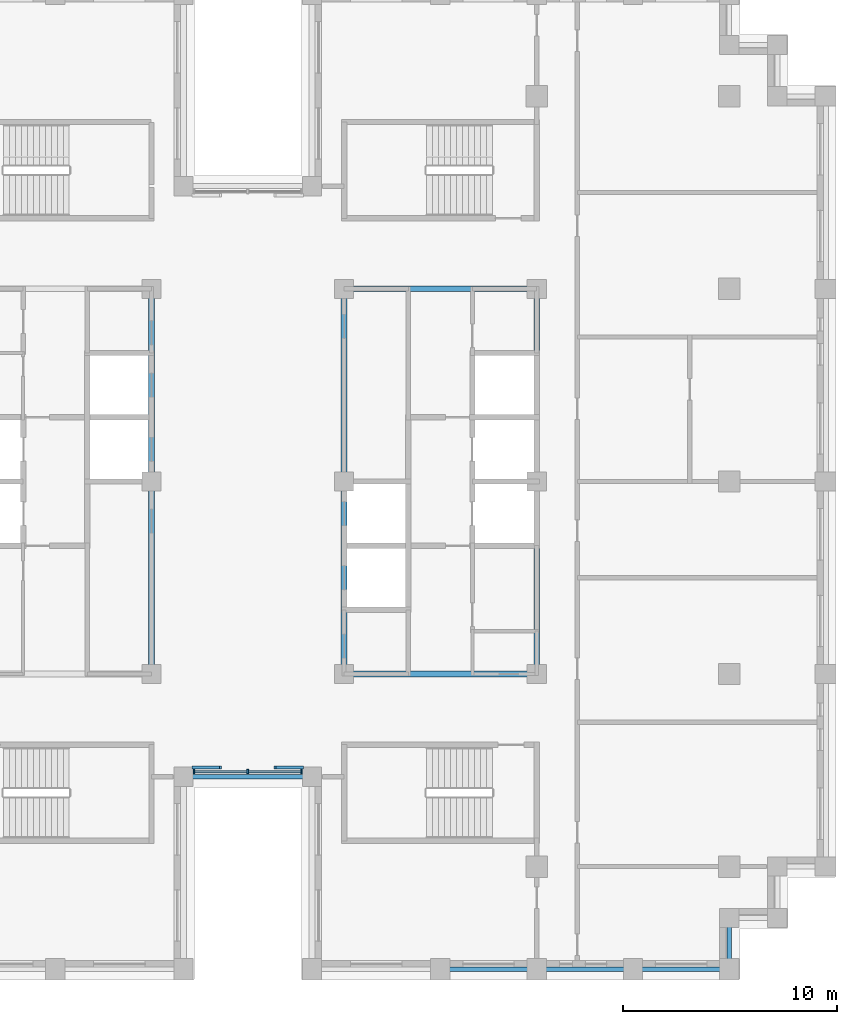
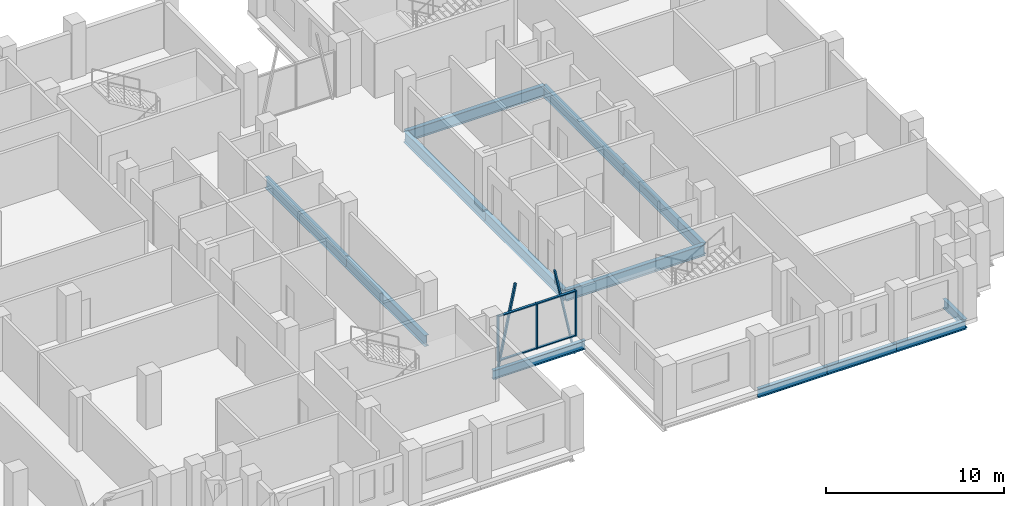
# One storey, part 2 of 15: 13 beams, 9 members, 1 element without a shape of its own.
"""IFC4 building model written with IfcOpenShell, lengths in metres."""

from ifc_helpers import new_model, si_unit, direction, frame, origin, origin_2d, place, context, subcontext, project, spatial, rectangle, i_section, extrude, material, layer, layer_set, material_profile, profile_set, type_object, element, aggregate, save


model = new_model("IFC4")

# Units and contexts
model_context = context("Model", 3, precision=1e-05, world=origin(), true_north=direction((0.0, 1.0)))
body_context = subcontext(model_context, "Body", "Model", "MODEL_VIEW")
ifc_project = project(units=[si_unit("LENGTHUNIT", "METRE"), si_unit("AREAUNIT", "SQUARE_METRE"), si_unit("VOLUMEUNIT", "CUBIC_METRE"), si_unit("PLANEANGLEUNIT", "RADIAN"), si_unit("MASSUNIT", "GRAM", prefix="KILO")], contexts=[model_context])

# Site, building, storey
site_placement = place(None, origin())
site = spatial("IfcSite", under=ifc_project, at=site_placement, CompositionType="ELEMENT")
building_placement = place(site_placement, origin())
building = spatial("IfcBuilding", under=site, at=building_placement, Name="Corbelhall Arena Tower", CompositionType="ELEMENT")
storey_placement = place(building_placement, frame((0.0, 0.0, 228.0)))
storey = spatial("IfcBuildingStorey", under=building, at=storey_placement, Name="L48", CompositionType="ELEMENT", Elevation=228.0)

# Curtain wall, members
ifc_material_1 = material(Name="Aluminium black anodised", Category="aluminium")
ifc_layer = layer(ifc_material_1, 0.199951171875)
ifc_layer_set = layer_set([ifc_layer], Name="EV-CW1 Slot back wall")
curtain_wall_type = type_object("IfcCurtainWallType", Name="EV-CW1 Slot back wall", PredefinedType="NOTDEFINED", material=ifc_layer_set)
curtain_wall_placement = place(storey_placement, origin())
curtain_wall = element("IfcCurtainWall", 1, at=curtain_wall_placement, inside=storey, type_object=curtain_wall_type, Name="Curtain wall CW1", PredefinedType="NOTDEFINED")
ifc_material_profile_1 = material_profile(ifc_material_1, rectangle(XDim=0.199951171875, YDim=0.074951171875, at=origin_2d()))
ifc_profile_set_1 = profile_set([ifc_material_profile_1], Name="Aluminium black anodised")
member_type_1 = type_object("IfcMemberType", Name="EV-CW1-MULLION", PredefinedType="MULLION", material=ifc_profile_set_1)
member_1_placement = place(storey_placement, frame((-2.512451171875, -13.550048828125, 0.0), z_axis=(0.0, 0.0, 1.0), x_axis=(0.0, 1.0, 0.0)))
member_1 = element("IfcMember", 2, at=member_1_placement, type_object=member_type_1, Name="CW1 mullion 1", PredefinedType="MULLION", context=body_context, shape_type="SweptSolid", body=[
    extrude(rectangle(XDim=0.199951171875, YDim=0.074951171875, at=origin_2d()), origin(), (0.0, 0.0, 1.0), 3.1201171875),
])
member_2_placement = place(storey_placement, frame((0.0, -13.550048828125, 0.0), z_axis=(0.0, 0.0, 1.0), x_axis=(0.0, 1.0, 0.0)))
member_2 = element("IfcMember", 3, at=member_2_placement, type_object=member_type_1, Name="CW1 mullion 2", PredefinedType="MULLION", context=body_context, shape_type="SweptSolid", body=[
    extrude(rectangle(XDim=0.199951171875, YDim=0.074951171875, at=origin_2d()), origin(), (0.0, 0.0, 1.0), 3.1201171875),
])
member_3_placement = place(storey_placement, frame((2.512451171875, -13.550048828125, 0.0), z_axis=(0.0, 0.0, 1.0), x_axis=(0.0, 1.0, 0.0)))
member_3 = element("IfcMember", 4, at=member_3_placement, type_object=member_type_1, Name="CW1 mullion 3", PredefinedType="MULLION", context=body_context, shape_type="SweptSolid", body=[
    extrude(rectangle(XDim=0.199951171875, YDim=0.074951171875, at=origin_2d()), origin(), (0.0, 0.0, 1.0), 3.1201171875),
])
ifc_material_profile_2 = material_profile(ifc_material_1, rectangle(XDim=0.14990234375, YDim=0.074951171875, at=origin_2d()))
ifc_profile_set_2 = profile_set([ifc_material_profile_2], Name="Aluminium black anodised")
member_type_2 = type_object("IfcMemberType", Name="EV-CW1-TRANSOM", PredefinedType="USERDEFINED", material=ifc_profile_set_2)
member_4_placement = place(storey_placement, frame((-2.47509765625, -13.550048828125, 0.03759765625), z_axis=(1.0, 0.0, 0.0), x_axis=(0.0, 1.0, 0.0)))
member_4 = element("IfcMember", 5, at=member_4_placement, type_object=member_type_2, Name="CW1 transom 1.1", ObjectType="transom", PredefinedType="USERDEFINED", context=body_context, shape_type="SweptSolid", body=[
    extrude(rectangle(XDim=0.14990234375, YDim=0.074951171875, at=origin_2d()), origin(), (0.0, 0.0, 1.0), 2.4375),
])
member_5_placement = place(storey_placement, frame((-2.47509765625, -13.550048828125, 3.08251953125), z_axis=(1.0, 0.0, 0.0), x_axis=(0.0, 1.0, 0.0)))
member_5 = element("IfcMember", 6, at=member_5_placement, type_object=member_type_2, Name="CW1 transom 1.2", ObjectType="transom", PredefinedType="USERDEFINED", context=body_context, shape_type="SweptSolid", body=[
    extrude(rectangle(XDim=0.14990234375, YDim=0.074951171875, at=origin_2d()), origin(), (0.0, 0.0, 1.0), 2.4375),
])
member_6_placement = place(storey_placement, frame((0.03759765625, -13.550048828125, 0.03759765625), z_axis=(1.0, 0.0, 0.0), x_axis=(0.0, 1.0, 0.0)))
member_6 = element("IfcMember", 7, at=member_6_placement, type_object=member_type_2, Name="CW1 transom 2.1", ObjectType="transom", PredefinedType="USERDEFINED", context=body_context, shape_type="SweptSolid", body=[
    extrude(rectangle(XDim=0.14990234375, YDim=0.074951171875, at=origin_2d()), origin(), (0.0, 0.0, 1.0), 2.4375),
])
member_7_placement = place(storey_placement, frame((0.03759765625, -13.550048828125, 3.08251953125), z_axis=(1.0, 0.0, 0.0), x_axis=(0.0, 1.0, 0.0)))
member_7 = element("IfcMember", 8, at=member_7_placement, type_object=member_type_2, Name="CW1 transom 2.2", ObjectType="transom", PredefinedType="USERDEFINED", context=body_context, shape_type="SweptSolid", body=[
    extrude(rectangle(XDim=0.14990234375, YDim=0.074951171875, at=origin_2d()), origin(), (0.0, 0.0, 1.0), 2.4375),
])
aggregate(curtain_wall, [member_1, member_2, member_3, member_4, member_5, member_6, member_7])

# Members
ifc_material_profile_3 = material_profile(ifc_material_1, rectangle(XDim=0.159912109375, YDim=0.10009765625, at=origin_2d()))
ifc_profile_set_3 = profile_set([ifc_material_profile_3], Name="Aluminium black anodised")
member_type_3 = type_object("IfcMemberType", Name="EV-TR1 Tracery bar", PredefinedType="USERDEFINED", material=ifc_profile_set_3)
for number, where, z_axis, x_axis, name in (
    (9, (-2.550048828125, -13.3701171875, -1.307373046875), (0.204144671158, 0.0, 0.978940730197), (0.0, 1.0, 0.0), "Tracery bar"),
    (10, (1.27490234375, -13.3701171875, 4.807373046875), (0.204144671158, 0.0, -0.978940730197), (0.0, 1.0, 0.0), "Tracery bar"),
):
    element("IfcMember", number, at=place(storey_placement, frame(where, z_axis=z_axis, x_axis=x_axis)), inside=storey, type_object=member_type_3, Name=name, ObjectType="TRACERY", PredefinedType="USERDEFINED", context=body_context, shape_type="SweptSolid", body=[
        extrude(rectangle(XDim=0.159912109375, YDim=0.10009765625, at=origin_2d()), origin(), (0.0, 0.0, 1.0), 6.246337890625),
    ])

# Beams
ifc_material_2 = material(Name="Steel ASTM A992 Gr50", Category="steel")
ifc_material_profile_4 = material_profile(ifc_material_2, i_section(OverallWidth=0.2666015625, OverallDepth=0.761962890625, WebThickness=0.014404296875, FlangeThickness=0.021484375, at=origin_2d()))
ifc_profile_set_4 = profile_set([ifc_material_profile_4], Name="Steel ASTM A992 Gr50")
beam_type_1 = type_object("IfcBeamType", Name="ST-BEAM-W30x116", PredefinedType="BEAM", material=ifc_profile_set_4)
for number, where, z_axis, x_axis, name in (
    (11, (-4.5, -9.0, -0.660888671875), (0.0, 1.0, 0.0), (-1.0, 0.0, 0.0), "Beam CEW 3"),
    (12, (-4.5, 0.0, -0.660888671875), (0.0, 1.0, 0.0), (-1.0, 0.0, 0.0), "Beam CEW 4"),
    (13, (4.5, -9.0, -0.660888671875), (0.0, 1.0, 0.0), (-1.0, 0.0, 0.0), "Beam CEE 7"),
    (14, (4.5, 0.0, -0.660888671875), (0.0, 1.0, 0.0), (-1.0, 0.0, 0.0), "Beam CEE 8"),
    (15, (13.5, -9.0, -0.660888671875), (0.0, 1.0, 0.0), (-1.0, 0.0, 0.0), "Beam CEE 9"),
    (16, (13.5, 0.0, -0.660888671875), (0.0, 1.0, 0.0), (-1.0, 0.0, 0.0), "Beam CEE 10"),
    (17, (4.5, -9.0, -0.660888671875), (1.0, 0.0, 0.0), (0.0, 1.0, 0.0), "Beam CEE 11"),
    (18, (4.5, 9.0, -0.660888671875), (1.0, 0.0, 0.0), (0.0, 1.0, 0.0), "Beam CEE 12"),
):
    element("IfcBeam", number, at=place(storey_placement, frame(where, z_axis=z_axis, x_axis=x_axis)), inside=storey, type_object=beam_type_1, Name=name, PredefinedType="BEAM", context=body_context, shape_type="SweptSolid", body=[
        extrude(i_section(OverallWidth=0.2666015625, OverallDepth=0.761962890625, WebThickness=0.014404296875, FlangeThickness=0.021484375, at=origin_2d()), origin(), (0.0, 0.0, 1.0), 9.0),
    ])
ifc_material_profile_5 = material_profile(ifc_material_2, i_section(OverallWidth=0.228271484375, OverallDepth=0.607177734375, WebThickness=0.01123046875, FlangeThickness=0.017333984375, at=origin_2d()))
ifc_profile_set_5 = profile_set([ifc_material_profile_5], Name="Steel ASTM A992 Gr50")
beam_type_2 = type_object("IfcBeamType", Name="ST-SPANDREL-W24x76", PredefinedType="SPANDREL", material=ifc_profile_set_5)
for number, where, z_axis, x_axis, name in (
    (19, (13.5, -22.800048828125, -0.58349609375), (-1.0, 0.0, 0.0), (0.0, -1.0, 0.0), "Beam SP 25"),
    (20, (18.0, -22.800048828125, -0.58349609375), (-1.0, 0.0, 0.0), (0.0, -1.0, 0.0), "Beam SP 26"),
    (21, (22.5, -22.800048828125, -0.58349609375), (-1.0, 0.0, 0.0), (0.0, -1.0, 0.0), "Beam SP 27"),
):
    element("IfcBeam", number, at=place(storey_placement, frame(where, z_axis=z_axis, x_axis=x_axis)), inside=storey, type_object=beam_type_2, Name=name, PredefinedType="SPANDREL", context=body_context, shape_type="SweptSolid", body=[
        extrude(i_section(OverallWidth=0.228271484375, OverallDepth=0.607177734375, WebThickness=0.01123046875, FlangeThickness=0.017333984375, at=origin_2d()), origin(), (0.0, 0.0, 1.0), 4.5),
    ])
beam_1_placement = place(storey_placement, frame((3.0, -13.800048828125, -0.58349609375), z_axis=(-1.0, 0.0, 0.0), x_axis=(0.0, -1.0, 0.0)))
element("IfcBeam", 22, at=beam_1_placement, inside=storey, type_object=beam_type_2, Name="Beam SP 37", PredefinedType="SPANDREL", context=body_context, shape_type="SweptSolid", body=[
    extrude(i_section(OverallWidth=0.228271484375, OverallDepth=0.607177734375, WebThickness=0.01123046875, FlangeThickness=0.017333984375, at=origin_2d()), origin(), (0.0, 0.0, 1.0), 6.0),
])
beam_2_placement = place(storey_placement, frame((22.5, -20.39990234375, -0.58349609375), z_axis=(0.0, -1.0, 0.0), x_axis=(1.0, 0.0, 0.0)))
element("IfcBeam", 23, at=beam_2_placement, inside=storey, type_object=beam_type_2, Name="Beam SP 45", PredefinedType="SPANDREL", context=body_context, shape_type="SweptSolid", body=[
    extrude(i_section(OverallWidth=0.228271484375, OverallDepth=0.607177734375, WebThickness=0.01123046875, FlangeThickness=0.017333984375, at=origin_2d()), origin(), (0.0, 0.0, 1.0), 2.400146484375),
])

save(model, "model.ifc")
